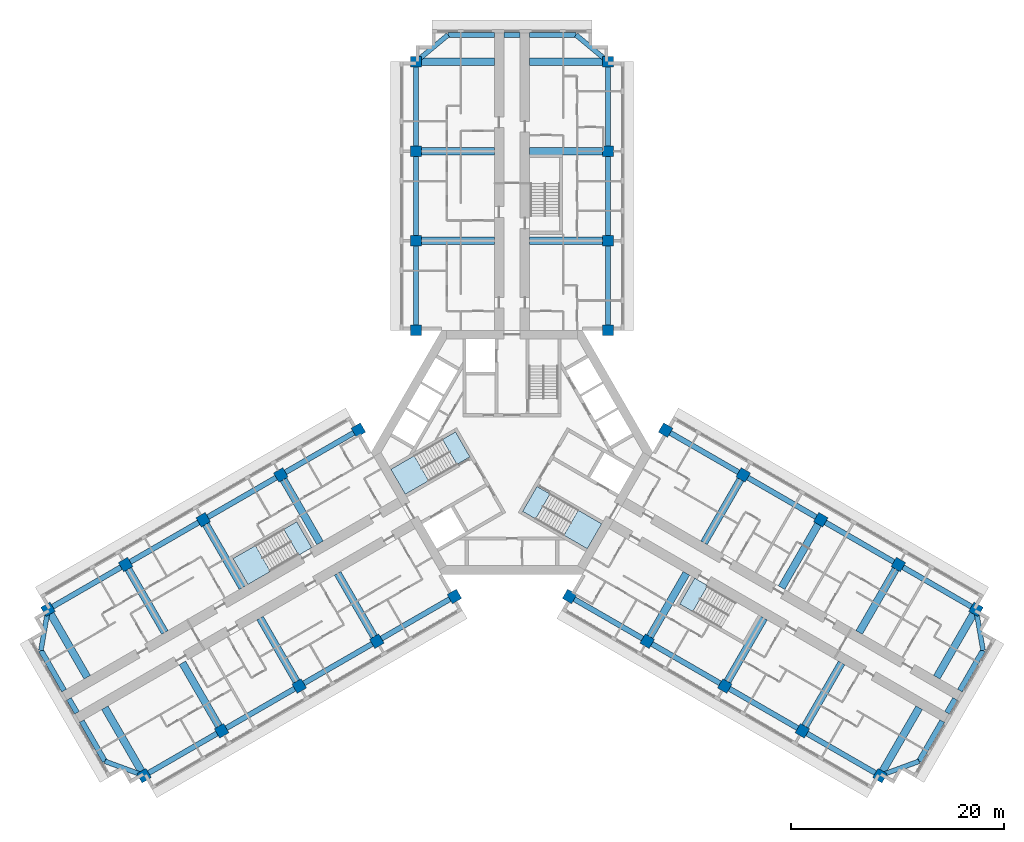
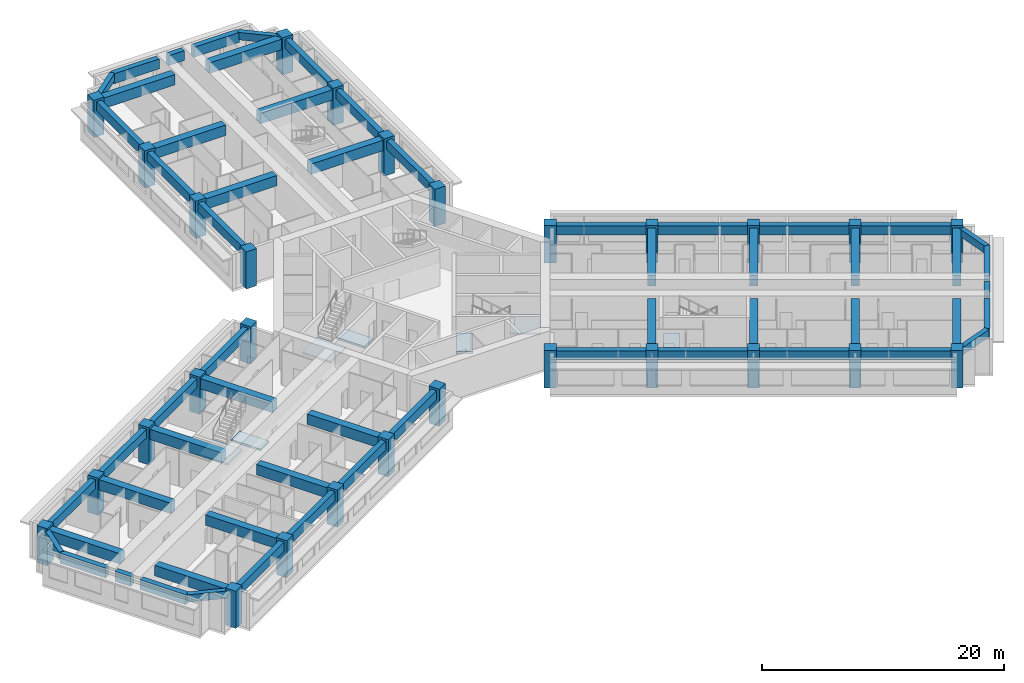
# One storey, part 1 of 14: 59 beams, 28 columns, 7 slabs, 4 elements without a shape of their own.
"""IFC4 building model written with IfcOpenShell, lengths in metres."""

from ifc_helpers import new_model, si_unit, direction, frame, origin, origin_2d, place, context, subcontext, project, spatial, polyline, rectangle, outline, extrude, material, layer, layer_set, material_profile, profile_set, type_object, element, aggregate, save


model = new_model("IFC4")

# Units and contexts
model_context = context("Model", 3, precision=1e-05, world=origin(), true_north=direction((0.0, 1.0)))
body_context = subcontext(model_context, "Body", "Model", "MODEL_VIEW")
ifc_project = project(units=[si_unit("LENGTHUNIT", "METRE"), si_unit("AREAUNIT", "SQUARE_METRE"), si_unit("VOLUMEUNIT", "CUBIC_METRE"), si_unit("PLANEANGLEUNIT", "RADIAN"), si_unit("MASSUNIT", "GRAM", prefix="KILO")], contexts=[model_context])

# Site, building, storey
site_placement = place(None, origin())
site = spatial("IfcSite", under=ifc_project, at=site_placement, CompositionType="ELEMENT")
building_placement = place(site_placement, origin())
building = spatial("IfcBuilding", under=site, at=building_placement, Name="Impinga Residences", CompositionType="ELEMENT")
storey_placement = place(building_placement, frame((0.0, 0.0, 117.25)))
storey = spatial("IfcBuildingStorey", under=building, at=storey_placement, Name="L28", CompositionType="ELEMENT", Elevation=117.25)

# Columns
ifc_material_1 = material(Name="Concrete C60/75", Category="concrete")
ifc_material_profile_1 = material_profile(ifc_material_1, rectangle(XDim=1.0, YDim=1.0, at=origin_2d()), Name="RC 1000x1000")
ifc_profile_set_1 = profile_set([ifc_material_profile_1], Name="Concrete C60/75")
column_type = type_object("IfcColumnType", Name="C3 1000x1000 column", PredefinedType="COLUMN", material=ifc_profile_set_1)
for number, where, z_axis, x_axis, name in (
    (1, (-9.0, 11.431640625, 0.0), (0.0, 0.0, 1.0), (1.0, 0.0, 0.0), "Column C3 N1/NA L28"),
    (2, (9.0, 11.431640625, 0.0), (0.0, 0.0, 1.0), (1.0, 0.0, 0.0), "Column C3 N1/NF L28"),
    (3, (-9.0, 19.83154296875, 0.0), (0.0, 0.0, 1.0), (1.0, 0.0, 0.0), "Column C3 N2/NA L28"),
    (4, (9.0, 19.83154296875, 0.0), (0.0, 0.0, 1.0), (1.0, 0.0, 0.0), "Column C3 N2/NF L28"),
    (5, (-9.0, 28.2314453125, 0.0), (0.0, 0.0, 1.0), (1.0, 0.0, 0.0), "Column C3 N3/NA L28"),
    (6, (9.0, 28.2314453125, 0.0), (0.0, 0.0, 1.0), (1.0, 0.0, 0.0), "Column C3 N3/NF L28"),
    (7, (-9.0, 36.631591796875, 0.0), (0.0, 0.0, 1.0), (1.0, 0.0, 0.0), "Column C3 N4/NA L28"),
    (8, (9.0, 36.631591796875, 0.0), (0.0, 0.0, 1.0), (1.0, 0.0, 0.0), "Column C3 N4/NF L28"),
    (9, (-5.39990234375, -13.510009765625, 0.0), (0.0, 0.0, 1.0), (-0.5, 0.866025403784, 0.0), "Column C3 W1/WA L28"),
    (10, (-14.39990234375, 2.078369140625, 0.0), (0.0, 0.0, 1.0), (-0.5, 0.866025403784, 0.0), "Column C3 W1/WF L28"),
    (11, (-12.674560546875, -17.7099609375, 0.0), (0.0, 0.0, 1.0), (-0.5, 0.866025403784, 0.0), "Column C3 W2/WA L28"),
    (12, (-21.674560546875, -2.12158203125, 0.0), (0.0, 0.0, 1.0), (-0.5, 0.866025403784, 0.0), "Column C3 W2/WF L28"),
    (13, (-19.94921875, -21.909912109375, 0.0), (0.0, 0.0, 1.0), (-0.5, 0.866025403784, 0.0), "Column C3 W3/WA L28"),
    (14, (-28.94921875, -6.321533203125, 0.0), (0.0, 0.0, 1.0), (-0.5, 0.866025403784, 0.0), "Column C3 W3/WF L28"),
    (15, (-27.223876953125, -26.110107421875, 0.0), (0.0, 0.0, 1.0), (-0.5, 0.866025403784, 0.0), "Column C3 W4/WA L28"),
    (16, (-36.223876953125, -10.521484375, 0.0), (0.0, 0.0, 1.0), (-0.5, 0.866025403784, 0.0), "Column C3 W4/WF L28"),
    (17, (-34.49853515625, -30.31005859375, 0.0), (0.0, 0.0, 1.0), (-0.5, 0.866025403784, 0.0), "Column C3 W5/WA L28"),
    (18, (-43.49853515625, -14.721435546875, 0.0), (0.0, 0.0, 1.0), (-0.5, 0.866025403784, 0.0), "Column C3 W5/WF L28"),
    (19, (14.39990234375, 2.078369140625, 0.0), (0.0, 0.0, 1.0), (-0.5, -0.866025403784, 0.0), "Column C3 E1/EA L28"),
    (20, (5.39990234375, -13.510009765625, 0.0), (0.0, 0.0, 1.0), (-0.5, -0.866025403784, 0.0), "Column C3 E1/EF L28"),
    (21, (21.674560546875, -2.12158203125, 0.0), (0.0, 0.0, 1.0), (-0.5, -0.866025403784, 0.0), "Column C3 E2/EA L28"),
    (22, (12.674560546875, -17.7099609375, 0.0), (0.0, 0.0, 1.0), (-0.5, -0.866025403784, 0.0), "Column C3 E2/EF L28"),
    (23, (28.94921875, -6.321533203125, 0.0), (0.0, 0.0, 1.0), (-0.5, -0.866025403784, 0.0), "Column C3 E3/EA L28"),
    (24, (19.94921875, -21.909912109375, 0.0), (0.0, 0.0, 1.0), (-0.5, -0.866025403784, 0.0), "Column C3 E3/EF L28"),
    (25, (36.223876953125, -10.521484375, 0.0), (0.0, 0.0, 1.0), (-0.5, -0.866025403784, 0.0), "Column C3 E4/EA L28"),
    (26, (27.223876953125, -26.110107421875, 0.0), (0.0, 0.0, 1.0), (-0.5, -0.866025403784, 0.0), "Column C3 E4/EF L28"),
    (27, (43.49853515625, -14.721435546875, 0.0), (0.0, 0.0, 1.0), (-0.5, -0.866025403784, 0.0), "Column C3 E5/EA L28"),
    (28, (34.49853515625, -30.31005859375, 0.0), (0.0, 0.0, 1.0), (-0.5, -0.866025403784, 0.0), "Column C3 E5/EF L28"),
):
    element("IfcColumn", number, at=place(storey_placement, frame(where, z_axis=z_axis, x_axis=x_axis)), inside=storey, type_object=column_type, Name=name, PredefinedType="COLUMN", context=body_context, shape_type="SweptSolid", body=[
        extrude(rectangle(XDim=1.0, YDim=1.0, at=origin_2d()), origin(), (0.0, 0.0, 1.0), 3.75),
    ])

# Beams
ifc_material_profile_2 = material_profile(ifc_material_1, rectangle(XDim=0.449951171875, YDim=0.75, at=origin_2d()), Name="RC 450x750")
ifc_profile_set_2 = profile_set([ifc_material_profile_2], Name="Concrete C60/75")
beam_type_1 = type_object("IfcBeamType", Name="CB1 450x750 wing end cantilever beam", PredefinedType="BEAM", material=ifc_profile_set_2)
for number, where, z_axis, x_axis, name in (
    (29, (-9.0, 36.631591796875, 3.155029296875), (0.768221279597, 0.640184399664, 0.0), (-0.640184399664, 0.768221279597, 0.0), "Beam CB1 NB N4-NX level L29"),
    (30, (9.0, 36.631591796875, 3.155029296875), (-0.768221279597, 0.640184399664, 0.0), (-0.640184399664, -0.768221279597, 0.0), "Beam CB1 NE N4-NX level L29"),
    (31, (-34.49853515625, -30.31005859375, 3.155029296875), (-0.938520178725, 0.345224382289, 0.0), (-0.345224382289, -0.938520178725, 0.0), "Beam CB1 WB W5-WX level L29"),
):
    element("IfcBeam", number, at=place(storey_placement, frame(where, z_axis=z_axis, x_axis=x_axis)), inside=storey, type_object=beam_type_1, Name=name, PredefinedType="BEAM", context=body_context, shape_type="SweptSolid", body=[
        extrude(rectangle(XDim=0.449951171875, YDim=0.75, at=origin_2d()), origin(), (0.0, 0.0, 1.0), 3.905029296875),
    ])
for number, where, z_axis, x_axis, name in (
    (32, (-43.49853515625, -14.721435546875, 3.155029296875), (-0.170296298948, -0.985392901621, 0.0), (0.985392901621, -0.170296298948, 0.0), "Beam CB1 WE W5-WX level L29"),
    (33, (43.49853515625, -14.721435546875, 3.155029296875), (0.170296298948, -0.985392901621, 0.0), (0.985392901621, 0.170296298948, 0.0), "Beam CB1 EB E5-EX level L29"),
):
    element("IfcBeam", number, at=place(storey_placement, frame(where, z_axis=z_axis, x_axis=x_axis)), inside=storey, type_object=beam_type_1, Name=name, PredefinedType="BEAM", context=body_context, shape_type="SweptSolid", body=[
        extrude(rectangle(XDim=0.449951171875, YDim=0.75, at=origin_2d()), origin(), (0.0, 0.0, 1.0), 3.9052734375),
    ])
beam_1_placement = place(storey_placement, frame((34.49853515625, -30.31005859375, 3.155029296875), z_axis=(0.938520178725, 0.345224382289, 0.0), x_axis=(-0.345224382289, 0.938520178725, 0.0)))
element("IfcBeam", 34, at=beam_1_placement, inside=storey, type_object=beam_type_1, Name="Beam CB1 EE E5-EX level L29", PredefinedType="BEAM", context=body_context, shape_type="SweptSolid", body=[
    extrude(rectangle(XDim=0.449951171875, YDim=0.75, at=origin_2d()), origin(), (0.0, 0.0, 1.0), 3.905029296875),
])
ifc_material_profile_3 = material_profile(ifc_material_1, rectangle(XDim=0.699951171875, YDim=1.050048828125, at=origin_2d()), Name="RC 700x1050")
ifc_profile_set_3 = profile_set([ifc_material_profile_3], Name="Concrete C60/75")
beam_type_2 = type_object("IfcBeamType", Name="CG1 700x1050 cross girder on a wing bay line", PredefinedType="BEAM", material=ifc_profile_set_3)
for number, where, z_axis, x_axis, name in (
    (35, (-1.64990234375, 19.83154296875, 3.0048828125), (-1.0, 0.0, 0.0), (0.0, -1.0, 0.0), "Beam CG1 N2 NC/NA level L29"),
    (36, (-1.64990234375, 28.2314453125, 3.0048828125), (-1.0, 0.0, 0.0), (0.0, -1.0, 0.0), "Beam CG1 N3 NC/NA level L29"),
    (37, (-1.64990234375, 36.631591796875, 3.0048828125), (-1.0, 0.0, 0.0), (0.0, -1.0, 0.0), "Beam CG1 N4 NC/NA level L29"),
    (38, (1.64990234375, 19.83154296875, 3.0048828125), (1.0, 0.0, 0.0), (0.0, 1.0, 0.0), "Beam CG1 N2 NC/NF level L29"),
    (39, (1.64990234375, 28.2314453125, 3.0048828125), (1.0, 0.0, 0.0), (0.0, 1.0, 0.0), "Beam CG1 N3 NC/NF level L29"),
    (40, (1.64990234375, 36.631591796875, 3.0048828125), (1.0, 0.0, 0.0), (0.0, 1.0, 0.0), "Beam CG1 N4 NC/NF level L29"),
    (41, (-16.349609375, -11.3447265625, 3.0048828125), (0.500008066151, -0.86602074674, 0.0), (0.86602074674, 0.500008066151, 0.0), "Beam CG1 W2 WC/WA level L29"),
    (42, (-23.624267578125, -15.544677734375, 3.0048828125), (0.500008066151, -0.86602074674, 0.0), (0.86602074674, 0.500008066151, 0.0), "Beam CG1 W3 WC/WA level L29"),
    (43, (-30.89892578125, -19.74462890625, 3.0048828125), (0.499993683172, -0.866029050776, 0.0), (0.866029050776, 0.499993683172, 0.0), "Beam CG1 W4 WC/WA level L29"),
):
    element("IfcBeam", number, at=place(storey_placement, frame(where, z_axis=z_axis, x_axis=x_axis)), inside=storey, type_object=beam_type_2, Name=name, PredefinedType="BEAM", context=body_context, shape_type="SweptSolid", body=[
        extrude(rectangle(XDim=0.699951171875, YDim=1.050048828125, at=origin_2d()), origin(), (0.0, 0.0, 1.0), 7.35009765625),
    ])
beam_2_placement = place(storey_placement, frame((-38.17333984375, -23.94482421875, 3.0048828125), z_axis=(0.499983153418, -0.866035129944, 0.0), x_axis=(0.866035129944, 0.499983153418, 0.0)))
element("IfcBeam", 44, at=beam_2_placement, inside=storey, type_object=beam_type_2, Name="Beam CG1 W5 WC/WA level L29", PredefinedType="BEAM", context=body_context, shape_type="SweptSolid", body=[
    extrude(rectangle(XDim=0.699951171875, YDim=1.050048828125, at=origin_2d()), origin(), (0.0, 0.0, 1.0), 7.349853515625),
])
for number, where, z_axis, x_axis, name in (
    (45, (-17.99951171875, -8.48681640625, 3.0048828125), (-0.500008066151, 0.86602074674, 0.0), (-0.86602074674, -0.500008066151, 0.0), "Beam CG1 W2 WC/WF level L29"),
    (46, (-25.274169921875, -12.686767578125, 3.0048828125), (-0.500008066151, 0.86602074674, 0.0), (-0.86602074674, -0.500008066151, 0.0), "Beam CG1 W3 WC/WF level L29"),
    (47, (-32.548828125, -16.88671875, 3.0048828125), (-0.500008066151, 0.86602074674, 0.0), (-0.86602074674, -0.500008066151, 0.0), "Beam CG1 W4 WC/WF level L29"),
    (48, (-39.823486328125, -21.0869140625, 3.0048828125), (-0.499993683172, 0.866029050776, 0.0), (-0.866029050776, -0.499993683172, 0.0), "Beam CG1 W5 WC/WF level L29"),
    (49, (17.99951171875, -8.48681640625, 3.0048828125), (0.500008066151, 0.86602074674, 0.0), (-0.86602074674, 0.500008066151, 0.0), "Beam CG1 E2 EC/EA level L29"),
    (50, (25.274169921875, -12.686767578125, 3.0048828125), (0.500008066151, 0.86602074674, 0.0), (-0.86602074674, 0.500008066151, 0.0), "Beam CG1 E3 EC/EA level L29"),
    (51, (32.548828125, -16.88671875, 3.0048828125), (0.500008066151, 0.86602074674, 0.0), (-0.86602074674, 0.500008066151, 0.0), "Beam CG1 E4 EC/EA level L29"),
    (52, (39.823486328125, -21.0869140625, 3.0048828125), (0.499993683172, 0.866029050776, 0.0), (-0.866029050776, 0.499993683172, 0.0), "Beam CG1 E5 EC/EA level L29"),
    (53, (16.349609375, -11.3447265625, 3.0048828125), (-0.500008066151, -0.86602074674, 0.0), (0.86602074674, -0.500008066151, 0.0), "Beam CG1 E2 EC/EF level L29"),
    (54, (23.624267578125, -15.544677734375, 3.0048828125), (-0.500008066151, -0.86602074674, 0.0), (0.86602074674, -0.500008066151, 0.0), "Beam CG1 E3 EC/EF level L29"),
    (55, (30.89892578125, -19.74462890625, 3.0048828125), (-0.499993683172, -0.866029050776, 0.0), (0.866029050776, -0.499993683172, 0.0), "Beam CG1 E4 EC/EF level L29"),
):
    element("IfcBeam", number, at=place(storey_placement, frame(where, z_axis=z_axis, x_axis=x_axis)), inside=storey, type_object=beam_type_2, Name=name, PredefinedType="BEAM", context=body_context, shape_type="SweptSolid", body=[
        extrude(rectangle(XDim=0.699951171875, YDim=1.050048828125, at=origin_2d()), origin(), (0.0, 0.0, 1.0), 7.35009765625),
    ])
beam_3_placement = place(storey_placement, frame((38.17333984375, -23.94482421875, 3.0048828125), z_axis=(-0.499983153418, -0.866035129944, 0.0), x_axis=(0.866035129944, -0.499983153418, 0.0)))
element("IfcBeam", 56, at=beam_3_placement, inside=storey, type_object=beam_type_2, Name="Beam CG1 E5 EC/EF level L29", PredefinedType="BEAM", context=body_context, shape_type="SweptSolid", body=[
    extrude(rectangle(XDim=0.699951171875, YDim=1.050048828125, at=origin_2d()), origin(), (0.0, 0.0, 1.0), 7.349853515625),
])
ifc_material_profile_4 = material_profile(ifc_material_1, rectangle(XDim=0.5, YDim=1.0, at=origin_2d()), Name="RC 500x1000")
ifc_profile_set_4 = profile_set([ifc_material_profile_4], Name="Concrete C60/75")
beam_type_3 = type_object("IfcBeamType", Name="EB1 500x1000 wing end beam", PredefinedType="BEAM", material=ifc_profile_set_4)
beam_4_placement = place(storey_placement, frame((-6.0, 39.131591796875, 3.030029296875), z_axis=(1.0, 0.0, 0.0), x_axis=(0.0, 1.0, 0.0)))
element("IfcBeam", 57, at=beam_4_placement, inside=storey, type_object=beam_type_3, Name="Beam EB1 NX3 level L29", PredefinedType="BEAM", context=body_context, shape_type="SweptSolid", body=[
    extrude(rectangle(XDim=0.5, YDim=1.0, at=origin_2d()), origin(), (0.0, 0.0, 1.0), 4.35009765625),
])
beam_5_placement = place(storey_placement, frame((-0.75, 39.131591796875, 3.030029296875), z_axis=(1.0, 0.0, 0.0), x_axis=(0.0, 1.0, 0.0)))
element("IfcBeam", 58, at=beam_5_placement, inside=storey, type_object=beam_type_3, Name="Beam EB1 NX3 level L29", PredefinedType="BEAM", context=body_context, shape_type="SweptSolid", body=[
    extrude(rectangle(XDim=0.5, YDim=1.0, at=origin_2d()), origin(), (0.0, 0.0, 1.0), 1.5),
])
beam_6_placement = place(storey_placement, frame((1.64990234375, 39.131591796875, 3.030029296875), z_axis=(1.0, 0.0, 0.0), x_axis=(0.0, 1.0, 0.0)))
element("IfcBeam", 59, at=beam_6_placement, inside=storey, type_object=beam_type_3, Name="Beam EB1 NX3 level L29", PredefinedType="BEAM", context=body_context, shape_type="SweptSolid", body=[
    extrude(rectangle(XDim=0.5, YDim=1.0, at=origin_2d()), origin(), (0.0, 0.0, 1.0), 4.35009765625),
])
beam_7_placement = place(storey_placement, frame((-38.16357421875, -28.9619140625, 3.030029296875), z_axis=(-0.500020430026, 0.866013608182, 0.0), x_axis=(-0.866013608182, -0.500020430026, 0.0)))
element("IfcBeam", 60, at=beam_7_placement, inside=storey, type_object=beam_type_3, Name="Beam EB1 WX4 level L29", PredefinedType="BEAM", context=body_context, shape_type="SweptSolid", body=[
    extrude(rectangle(XDim=0.5, YDim=1.0, at=origin_2d()), origin(), (0.0, 0.0, 1.0), 4.349853515625),
])
beam_8_placement = place(storey_placement, frame((-40.78857421875, -24.415283203125, 3.030029296875), z_axis=(-0.499990139034, 0.866031096941, 0.0), x_axis=(-0.866031096941, -0.499990139034, 0.0)))
element("IfcBeam", 61, at=beam_8_placement, inside=storey, type_object=beam_type_3, Name="Beam EB1 WX4 level L29", PredefinedType="BEAM", context=body_context, shape_type="SweptSolid", body=[
    extrude(rectangle(XDim=0.5, YDim=1.0, at=origin_2d()), origin(), (0.0, 0.0, 1.0), 1.5),
])
for number, where, z_axis, x_axis, name in (
    (62, (-41.988525390625, -22.3369140625, 3.030029296875), (-0.499996127374, 0.866027639635, 0.0), (-0.866027639635, -0.499996127374, 0.0), "Beam EB1 WX4 level L29"),
    (63, (44.16357421875, -18.569580078125, 3.030029296875), (-0.499996127374, -0.866027639635, 0.0), (0.866027639635, -0.499996127374, 0.0), "Beam EB1 EX4 level L29"),
):
    element("IfcBeam", number, at=place(storey_placement, frame(where, z_axis=z_axis, x_axis=x_axis)), inside=storey, type_object=beam_type_3, Name=name, PredefinedType="BEAM", context=body_context, shape_type="SweptSolid", body=[
        extrude(rectangle(XDim=0.5, YDim=1.0, at=origin_2d()), origin(), (0.0, 0.0, 1.0), 4.35009765625),
    ])
beam_9_placement = place(storey_placement, frame((41.53857421875, -23.1162109375, 3.030029296875), z_axis=(-0.499990139034, -0.866031096941, 0.0), x_axis=(0.866031096941, -0.499990139034, 0.0)))
element("IfcBeam", 64, at=beam_9_placement, inside=storey, type_object=beam_type_3, Name="Beam EB1 EX4 level L29", PredefinedType="BEAM", context=body_context, shape_type="SweptSolid", body=[
    extrude(rectangle(XDim=0.5, YDim=1.0, at=origin_2d()), origin(), (0.0, 0.0, 1.0), 1.5),
])
beam_10_placement = place(storey_placement, frame((40.338623046875, -25.19482421875, 3.030029296875), z_axis=(-0.500020430026, -0.866013608182, 0.0), x_axis=(0.866013608182, -0.500020430026, 0.0)))
element("IfcBeam", 65, at=beam_10_placement, inside=storey, type_object=beam_type_3, Name="Beam EB1 EX4 level L29", PredefinedType="BEAM", context=body_context, shape_type="SweptSolid", body=[
    extrude(rectangle(XDim=0.5, YDim=1.0, at=origin_2d()), origin(), (0.0, 0.0, 1.0), 4.349853515625),
])
ifc_material_profile_5 = material_profile(ifc_material_1, rectangle(XDim=0.5, YDim=0.89990234375, at=origin_2d()), Name="RC 500x900")
ifc_profile_set_5 = profile_set([ifc_material_profile_5], Name="Concrete C60/75")
beam_type_4 = type_object("IfcBeamType", Name="SB1 500x900 perimeter spandrel beam", PredefinedType="SPANDREL", material=ifc_profile_set_5)
for number, where, z_axis, x_axis, name in (
    (66, (-9.0, 11.431640625, 3.080078125), (0.0, 1.0, 0.0), (-1.0, 0.0, 0.0), "Beam SB1 NA N1-N2 level L29"),
    (67, (-9.0, 19.83154296875, 3.080078125), (0.0, 1.0, 0.0), (-1.0, 0.0, 0.0), "Beam SB1 NA N2-N3 level L29"),
):
    element("IfcBeam", number, at=place(storey_placement, frame(where, z_axis=z_axis, x_axis=x_axis)), inside=storey, type_object=beam_type_4, Name=name, PredefinedType="SPANDREL", context=body_context, shape_type="SweptSolid", body=[
        extrude(rectangle(XDim=0.5, YDim=0.89990234375, at=origin_2d()), origin(), (0.0, 0.0, 1.0), 8.39990234375),
    ])
beam_11_placement = place(storey_placement, frame((-9.0, 28.2314453125, 3.080078125), z_axis=(0.0, 1.0, 0.0), x_axis=(-1.0, 0.0, 0.0)))
element("IfcBeam", 68, at=beam_11_placement, inside=storey, type_object=beam_type_4, Name="Beam SB1 NA N3-N4 level L29", PredefinedType="SPANDREL", context=body_context, shape_type="SweptSolid", body=[
    extrude(rectangle(XDim=0.5, YDim=0.89990234375, at=origin_2d()), origin(), (0.0, 0.0, 1.0), 8.400146484375),
])
for number, where, z_axis, x_axis, name in (
    (69, (9.0, 11.431640625, 3.080078125), (0.0, 1.0, 0.0), (-1.0, 0.0, 0.0), "Beam SB1 NF N1-N2 level L29"),
    (70, (9.0, 19.83154296875, 3.080078125), (0.0, 1.0, 0.0), (-1.0, 0.0, 0.0), "Beam SB1 NF N2-N3 level L29"),
):
    element("IfcBeam", number, at=place(storey_placement, frame(where, z_axis=z_axis, x_axis=x_axis)), inside=storey, type_object=beam_type_4, Name=name, PredefinedType="SPANDREL", context=body_context, shape_type="SweptSolid", body=[
        extrude(rectangle(XDim=0.5, YDim=0.89990234375, at=origin_2d()), origin(), (0.0, 0.0, 1.0), 8.39990234375),
    ])
beam_12_placement = place(storey_placement, frame((9.0, 28.2314453125, 3.080078125), z_axis=(0.0, 1.0, 0.0), x_axis=(-1.0, 0.0, 0.0)))
element("IfcBeam", 71, at=beam_12_placement, inside=storey, type_object=beam_type_4, Name="Beam SB1 NF N3-N4 level L29", PredefinedType="SPANDREL", context=body_context, shape_type="SweptSolid", body=[
    extrude(rectangle(XDim=0.5, YDim=0.89990234375, at=origin_2d()), origin(), (0.0, 0.0, 1.0), 8.400146484375),
])
for number, where, z_axis, x_axis, name in (
    (72, (-5.39990234375, -13.510009765625, 3.080078125), (-0.86602925447, -0.499993330357, 0.0), (0.499993330357, -0.86602925447, 0.0), "Beam SB1 WA W1-W2 level L29"),
    (73, (-12.674560546875, -17.7099609375, 3.080078125), (-0.86602925447, -0.499993330357, 0.0), (0.499993330357, -0.86602925447, 0.0), "Beam SB1 WA W2-W3 level L29"),
):
    element("IfcBeam", number, at=place(storey_placement, frame(where, z_axis=z_axis, x_axis=x_axis)), inside=storey, type_object=beam_type_4, Name=name, PredefinedType="SPANDREL", context=body_context, shape_type="SweptSolid", body=[
        extrude(rectangle(XDim=0.5, YDim=0.89990234375, at=origin_2d()), origin(), (0.0, 0.0, 1.0), 8.39990234375),
    ])
beam_13_placement = place(storey_placement, frame((-19.94921875, -21.909912109375, 3.080078125), z_axis=(-0.866016669275, -0.500015128309, 0.0), x_axis=(0.500015128309, -0.866016669275, 0.0)))
element("IfcBeam", 74, at=beam_13_placement, inside=storey, type_object=beam_type_4, Name="Beam SB1 WA W3-W4 level L29", PredefinedType="SPANDREL", context=body_context, shape_type="SweptSolid", body=[
    extrude(rectangle(XDim=0.5, YDim=0.89990234375, at=origin_2d()), origin(), (0.0, 0.0, 1.0), 8.400146484375),
])
for number, where, z_axis, x_axis, name in (
    (75, (-27.223876953125, -26.110107421875, 3.080078125), (-0.86602925447, -0.499993330357, 0.0), (0.499993330357, -0.86602925447, 0.0), "Beam SB1 WA W4-W5 level L29"),
    (76, (-14.39990234375, 2.078369140625, 3.080078125), (-0.86602925447, -0.499993330357, 0.0), (0.499993330357, -0.86602925447, 0.0), "Beam SB1 WF W1-W2 level L29"),
    (77, (-21.674560546875, -2.12158203125, 3.080078125), (-0.86602925447, -0.499993330357, 0.0), (0.499993330357, -0.86602925447, 0.0), "Beam SB1 WF W2-W3 level L29"),
    (78, (-28.94921875, -6.321533203125, 3.080078125), (-0.86602925447, -0.499993330357, 0.0), (0.499993330357, -0.86602925447, 0.0), "Beam SB1 WF W3-W4 level L29"),
    (79, (-36.223876953125, -10.521484375, 3.080078125), (-0.86602925447, -0.499993330357, 0.0), (0.499993330357, -0.86602925447, 0.0), "Beam SB1 WF W4-W5 level L29"),
    (80, (14.39990234375, 2.078369140625, 3.080078125), (0.86602925447, -0.499993330357, 0.0), (0.499993330357, 0.86602925447, 0.0), "Beam SB1 EA E1-E2 level L29"),
    (81, (21.674560546875, -2.12158203125, 3.080078125), (0.86602925447, -0.499993330357, 0.0), (0.499993330357, 0.86602925447, 0.0), "Beam SB1 EA E2-E3 level L29"),
    (82, (28.94921875, -6.321533203125, 3.080078125), (0.86602925447, -0.499993330357, 0.0), (0.499993330357, 0.86602925447, 0.0), "Beam SB1 EA E3-E4 level L29"),
    (83, (36.223876953125, -10.521484375, 3.080078125), (0.86602925447, -0.499993330357, 0.0), (0.499993330357, 0.86602925447, 0.0), "Beam SB1 EA E4-E5 level L29"),
    (84, (5.39990234375, -13.510009765625, 3.080078125), (0.86602925447, -0.499993330357, 0.0), (0.499993330357, 0.86602925447, 0.0), "Beam SB1 EF E1-E2 level L29"),
    (85, (12.674560546875, -17.7099609375, 3.080078125), (0.86602925447, -0.499993330357, 0.0), (0.499993330357, 0.86602925447, 0.0), "Beam SB1 EF E2-E3 level L29"),
):
    element("IfcBeam", number, at=place(storey_placement, frame(where, z_axis=z_axis, x_axis=x_axis)), inside=storey, type_object=beam_type_4, Name=name, PredefinedType="SPANDREL", context=body_context, shape_type="SweptSolid", body=[
        extrude(rectangle(XDim=0.5, YDim=0.89990234375, at=origin_2d()), origin(), (0.0, 0.0, 1.0), 8.39990234375),
    ])
beam_14_placement = place(storey_placement, frame((19.94921875, -21.909912109375, 3.080078125), z_axis=(0.866016669275, -0.500015128309, 0.0), x_axis=(0.500015128309, 0.866016669275, 0.0)))
element("IfcBeam", 86, at=beam_14_placement, inside=storey, type_object=beam_type_4, Name="Beam SB1 EF E3-E4 level L29", PredefinedType="SPANDREL", context=body_context, shape_type="SweptSolid", body=[
    extrude(rectangle(XDim=0.5, YDim=0.89990234375, at=origin_2d()), origin(), (0.0, 0.0, 1.0), 8.400146484375),
])
beam_15_placement = place(storey_placement, frame((27.223876953125, -26.110107421875, 3.080078125), z_axis=(0.86602925447, -0.499993330357, 0.0), x_axis=(0.499993330357, 0.86602925447, 0.0)))
element("IfcBeam", 87, at=beam_15_placement, inside=storey, type_object=beam_type_4, Name="Beam SB1 EF E4-E5 level L29", PredefinedType="SPANDREL", context=body_context, shape_type="SweptSolid", body=[
    extrude(rectangle(XDim=0.5, YDim=0.89990234375, at=origin_2d()), origin(), (0.0, 0.0, 1.0), 8.39990234375),
])

# Stair, slabs
ifc_material_2 = material(Name="Concrete C40/50", Category="concrete")
stair_type_1 = type_object("IfcStairType", Name="STR core stair 3750 storey, 24 risers", PredefinedType="HALF_TURN_STAIR", material=ifc_material_2)
stair_1_placement = place(storey_placement, origin())
stair_1 = element("IfcStair", 88, at=stair_1_placement, inside=storey, type_object=stair_type_1, Name="Stair ST2 L28", PredefinedType="HALF_TURN_STAIR")
ifc_layer = layer(ifc_material_2, 0.199951171875)
ifc_layer_set = layer_set([ifc_layer], Name="Concrete C40/50")
slab_type = type_object("IfcSlabType", Name="LS1 stair landing 200", PredefinedType="LANDING", material=ifc_layer_set)
slab_1_placement = place(storey_placement, frame((0.0, 0.0, -0.199951171875)))
slab_1 = element("IfcSlab", 89, at=slab_1_placement, type_object=slab_type, Name="ST2 landing 1", PredefinedType="LANDING", context=body_context, shape_type="SweptSolid", body=[
    extrude(outline(polyline([(-3.943603515625, -0.429443359375), (-5.293701171875, 1.908935546875), (-6.5146484375, 1.203857421875), (-5.164794921875, -1.13427734375), (-3.943603515625, -0.429443359375)])), origin(), (0.0, 0.0, 1.0), 0.199951171875),
])
slab_2_placement = place(storey_placement, frame((0.0, 0.0, 1.675048828125)))
slab_2 = element("IfcSlab", 90, at=slab_2_placement, type_object=slab_type, Name="ST2 landing 2", PredefinedType="LANDING", context=body_context, shape_type="SweptSolid", body=[
    extrude(outline(polyline([(-7.814697265625, -2.664306640625), (-9.164794921875, -0.326171875), (-11.357177734375, -1.591796875), (-10.007080078125, -3.93017578125), (-7.814697265625, -2.664306640625)])), origin(), (0.0, 0.0, 1.0), 0.199951171875),
])
aggregate(stair_1, [slab_1, slab_2])

stair_2_placement = place(storey_placement, origin())
stair_2 = element("IfcStair", 91, at=stair_2_placement, inside=storey, type_object=stair_type_1, Name="Stair ST3 L28", PredefinedType="HALF_TURN_STAIR")
slab_3_placement = place(storey_placement, frame((0.0, 0.0, -0.199951171875)))
slab_3 = element("IfcSlab", 92, at=slab_3_placement, type_object=slab_type, Name="ST3 landing 1", PredefinedType="LANDING", context=body_context, shape_type="SweptSolid", body=[
    extrude(outline(polyline([(2.34375, -3.20068359375), (0.99365234375, -5.538818359375), (2.21484375, -6.243896484375), (3.564697265625, -3.90576171875), (2.34375, -3.20068359375)])), origin(), (0.0, 0.0, 1.0), 0.199951171875),
])
slab_4_placement = place(storey_placement, frame((0.0, 0.0, 1.675048828125)))
slab_4 = element("IfcSlab", 93, at=slab_4_placement, type_object=slab_type, Name="ST3 landing 2", PredefinedType="LANDING", context=body_context, shape_type="SweptSolid", body=[
    extrude(outline(polyline([(6.21484375, -5.435546875), (4.86474609375, -7.77392578125), (7.05712890625, -9.039794921875), (8.4072265625, -6.701416015625), (6.21484375, -5.435546875)])), origin(), (0.0, 0.0, 1.0), 0.199951171875),
])
aggregate(stair_2, [slab_3, slab_4])

stair_type_2 = type_object("IfcStairType", Name="STR wing stair 3750 storey, 24 risers", PredefinedType="HALF_TURN_STAIR", material=ifc_material_2)
stair_3_placement = place(storey_placement, origin())
stair_3 = element("IfcStair", 94, at=stair_3_placement, inside=storey, type_object=stair_type_2, Name="Stair WS2 L28", PredefinedType="HALF_TURN_STAIR")
slab_5_placement = place(storey_placement, frame((0.0, 0.0, -0.199951171875)))
slab_5 = element("IfcSlab", 95, at=slab_5_placement, type_object=slab_type, Name="WS2 landing 1", PredefinedType="LANDING", context=body_context, shape_type="SweptSolid", body=[
    extrude(outline(polyline([(-18.779052734375, -8.936767578125), (-20.178955078125, -6.511962890625), (-21.400146484375, -7.217041015625), (-20.000244140625, -9.641845703125), (-18.779052734375, -8.936767578125)])), origin(), (0.0, 0.0, 1.0), 0.199951171875),
])
slab_6_placement = place(storey_placement, frame((0.0, 0.0, 1.675048828125)))
slab_6 = element("IfcSlab", 96, at=slab_6_placement, type_object=slab_type, Name="WS2 landing 2", PredefinedType="LANDING", context=body_context, shape_type="SweptSolid", body=[
    extrude(outline(polyline([(-22.650146484375, -11.171875), (-24.050048828125, -8.7470703125), (-26.154541015625, -9.9619140625), (-24.754638671875, -12.38671875), (-22.650146484375, -11.171875)])), origin(), (0.0, 0.0, 1.0), 0.199951171875),
])
aggregate(stair_3, [slab_5, slab_6])

# Stair, slab
stair_4_placement = place(storey_placement, origin())
stair_4 = element("IfcStair", 97, at=stair_4_placement, inside=storey, type_object=stair_type_2, Name="Stair WS3 L28", PredefinedType="HALF_TURN_STAIR")
slab_7_placement = place(storey_placement, frame((0.0, 0.0, -0.199951171875)))
slab_7 = element("IfcSlab", 98, at=slab_7_placement, type_object=slab_type, Name="WS3 landing 1", PredefinedType="LANDING", context=body_context, shape_type="SweptSolid", body=[
    extrude(outline(polyline([(17.129150390625, -11.794677734375), (15.72900390625, -14.219482421875), (16.9501953125, -14.924560546875), (18.35009765625, -12.499755859375), (17.129150390625, -11.794677734375)])), origin(), (0.0, 0.0, 1.0), 0.199951171875),
])
aggregate(stair_4, [slab_7])

save(model, "model.ifc")
